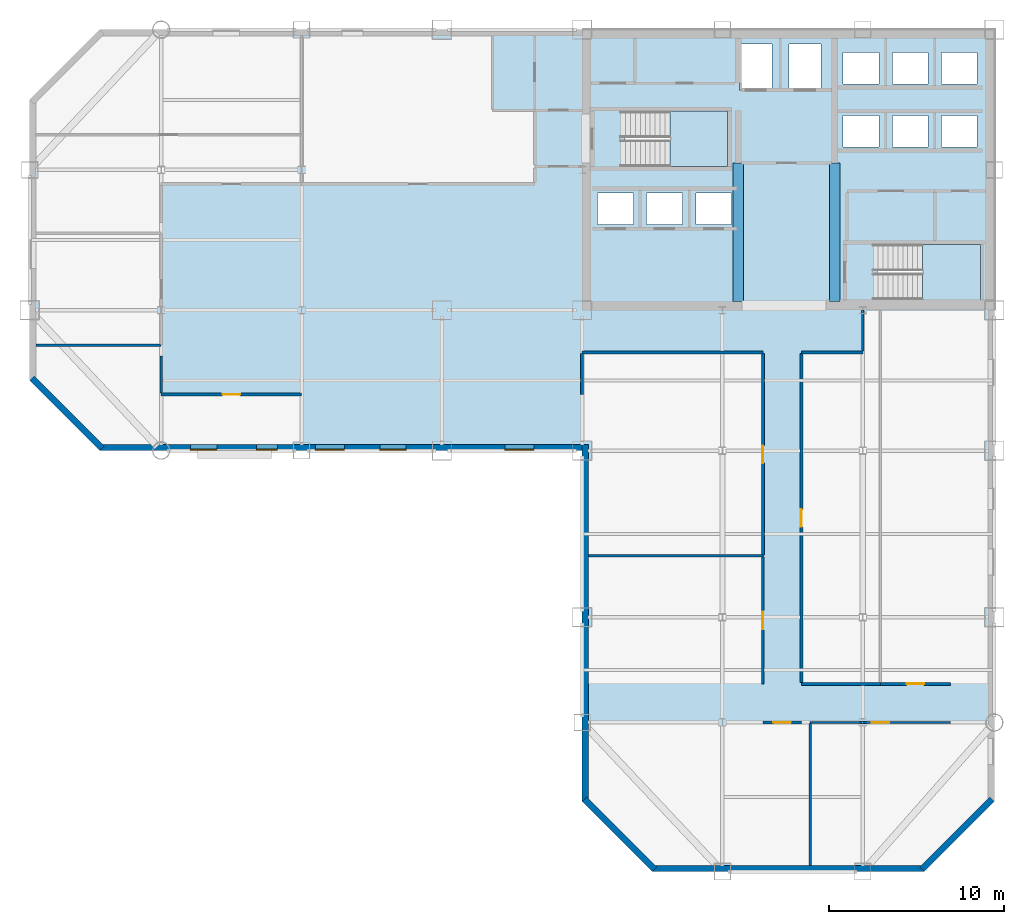
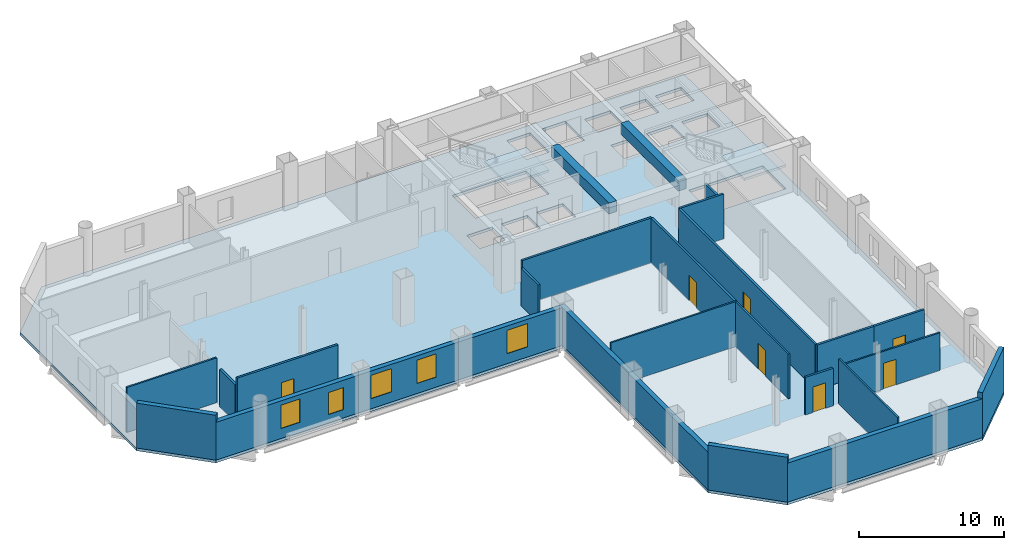
# One storey, part 5 of 9: 22 walls, 7 doors, 5 windows, 3 slabs, 2 beams, 12 openings, 2 elements without a shape of their own.
"""IFC4 building model written with IfcOpenShell, lengths in metres."""

from ifc_helpers import new_model, si_unit, direction, frame, frame_2d, origin, origin_2d, place, context, subcontext, project, spatial, polyline, rectangle, outline, extrude, material, layer, layer_set, material_profile, profile_set, type_object, element, fill, aggregate, save


model = new_model("IFC4")

# Units and contexts
model_context = context("Model", 3, precision=1e-05, world=origin(), true_north=direction((0.0, 1.0)))
body_context = subcontext(model_context, "Body", "Model", "MODEL_VIEW")
ifc_project = project(units=[si_unit("LENGTHUNIT", "METRE"), si_unit("AREAUNIT", "SQUARE_METRE"), si_unit("VOLUMEUNIT", "CUBIC_METRE"), si_unit("PLANEANGLEUNIT", "RADIAN"), si_unit("MASSUNIT", "GRAM", prefix="KILO")], contexts=[model_context])

# Site, building, storey
site_placement = place(None, origin())
site = spatial("IfcSite", under=ifc_project, at=site_placement, CompositionType="ELEMENT")
building_placement = place(site_placement, origin())
building = spatial("IfcBuilding", under=site, at=building_placement, Name="Qianrong Seaharbour Tower", CompositionType="ELEMENT")
storey_placement = place(building_placement, frame((0.0, 0.0, 163.0)))
storey = spatial("IfcBuildingStorey", under=building, at=storey_placement, Name="L39", CompositionType="ELEMENT", Elevation=163.0)

# Beams
ifc_material_1 = material(Name="Concrete C70/85", Category="concrete")
ifc_material_profile = material_profile(ifc_material_1, rectangle(XDim=0.60009765625, YDim=0.89990234375, at=origin_2d()), Name="RC600x900")
ifc_profile_set = profile_set([ifc_material_profile], Name="Concrete C70/85")
beam_type = type_object("IfcBeamType", Name="BM-LINTEL-900", PredefinedType="LINTEL", material=ifc_profile_set)
for number, where, z_axis, x_axis, name in (
    (1, (49.39990234375, 36.5, 3.31494140625), (0.0, 1.0, 0.0), (-1.0, 0.0, 0.0), "L39 Internal Core Coupling Beam IW1"),
    (2, (54.89990234375, 36.5, 3.31494140625), (0.0, 1.0, 0.0), (-1.0, 0.0, 0.0), "L39 Internal Core Coupling Beam IW2"),
):
    element("IfcBeam", number, at=place(storey_placement, frame(where, z_axis=z_axis, x_axis=x_axis)), inside=storey, type_object=beam_type, Name=name, PredefinedType="LINTEL", context=body_context, shape_type="SweptSolid", body=[
        extrude(rectangle(XDim=0.60009765625, YDim=0.89990234375, at=origin_2d()), origin(), (0.0, 0.0, 1.0), 7.89990234375),
    ])

# Stair, slab
ifc_material_2 = material(Name="Concrete C50/60", Category="concrete")
stair_type = type_object("IfcStairType", Name="STAIR-DOGLEG-1500-R22", PredefinedType="HALF_TURN_STAIR", material=ifc_material_2)
stair_1_placement = place(storey_placement, origin())
stair_1 = element("IfcStair", 3, at=stair_1_placement, inside=storey, type_object=stair_type, Name="L39 Protected Escape Stair ST-1", PredefinedType="HALF_TURN_STAIR")
ifc_layer_1 = layer(ifc_material_2, 0.199951171875)
ifc_layer_set_1 = layer_set([ifc_layer_1], Name="Concrete C50/60")
slab_type_1 = type_object("IfcSlabType", Name="SLAB-STAIR-LANDING-200", PredefinedType="LANDING", material=ifc_layer_set_1)
slab_1_placement = place(storey_placement, frame((0.0, 0.0, 1.800048828125)))
slab_1 = element("IfcSlab", 4, at=slab_1_placement, type_object=slab_type_1, Name="ST-1 landing 1", PredefinedType="LANDING", context=body_context, shape_type="SweptSolid", body=[
    extrude(outline(polyline([(45.5, 44.199951171875), (48.800048828125, 44.199951171875), (48.800048828125, 47.35009765625), (45.5, 47.35009765625), (45.5, 44.199951171875)])), origin(), (0.0, 0.0, 1.0), 0.199951171875),
])
aggregate(stair_1, [slab_1])

stair_2_placement = place(storey_placement, origin())
stair_2 = element("IfcStair", 5, at=stair_2_placement, inside=storey, type_object=stair_type, Name="L39 Protected Escape Stair ST-2", PredefinedType="HALF_TURN_STAIR")
slab_2_placement = place(storey_placement, frame((0.0, 0.0, 1.800048828125)))
slab_2 = element("IfcSlab", 6, at=slab_2_placement, type_object=slab_type_1, Name="ST-2 landing 1", PredefinedType="LANDING", context=body_context, shape_type="SweptSolid", body=[
    extrude(outline(polyline([(59.89990234375, 36.60009765625), (63.199951171875, 36.60009765625), (63.199951171875, 39.75), (59.89990234375, 39.75), (59.89990234375, 36.60009765625)])), origin(), (0.0, 0.0, 1.0), 0.199951171875),
])
aggregate(stair_2, [slab_2])

# Slab
ifc_layer_2 = layer(ifc_material_2, 0.235107421875)
ifc_layer_set_2 = layer_set([ifc_layer_2], Name="Concrete C50/60")
slab_type_2 = type_object("IfcSlabType", Name="SLAB-Z2-235", PredefinedType="FLOOR", material=ifc_layer_set_2)
slab_3_placement = place(storey_placement, frame((0.0, 0.0, -0.235107421875)))
element("IfcSlab", 7, at=slab_3_placement, inside=storey, type_object=slab_type_2, Name="L39 Structural Floor Slab", PredefinedType="FLOOR", context=body_context, shape_type="SweptSolid", body=[
    extrude(outline(polyline([(44.5, 4.0), (60.0, 4.0), (64.0, 8.0), (64.0, 52.0), (13.0, 52.0), (9.0, 48.0), (9.0, 32.0), (13.0, 28.0), (40.5, 28.0), (40.5, 8.0), (44.5, 4.0)]), holes=[polyline([(42.93994140625, 44.199951171875), (42.93994140625, 47.35009765625), (48.800048828125, 47.35009765625), (48.800048828125, 44.199951171875), (42.93994140625, 44.199951171875)]), polyline([(57.340087890625, 36.60009765625), (57.340087890625, 39.75), (63.199951171875, 39.75), (63.199951171875, 36.60009765625), (57.340087890625, 36.60009765625)]), polyline([(49.47998046875, 48.530029296875), (49.47998046875, 51.169921875), (51.320068359375, 51.169921875), (51.320068359375, 48.530029296875), (49.47998046875, 48.530029296875)]), polyline([(52.280029296875, 48.530029296875), (52.280029296875, 51.169921875), (54.1201171875, 51.169921875), (54.1201171875, 48.530029296875), (52.280029296875, 48.530029296875)]), polyline([(41.3798828125, 40.89990234375), (41.3798828125, 42.699951171875), (43.419921875, 42.699951171875), (43.419921875, 40.89990234375), (41.3798828125, 40.89990234375)]), polyline([(44.179931640625, 40.89990234375), (44.179931640625, 42.699951171875), (46.219970703125, 42.699951171875), (46.219970703125, 40.89990234375), (44.179931640625, 40.89990234375)]), polyline([(46.97998046875, 40.89990234375), (46.97998046875, 42.699951171875), (49.02001953125, 42.699951171875), (49.02001953125, 40.89990234375), (46.97998046875, 40.89990234375)]), polyline([(55.3798828125, 45.300048828125), (55.3798828125, 47.10009765625), (57.419921875, 47.10009765625), (57.419921875, 45.300048828125), (55.3798828125, 45.300048828125)]), polyline([(58.179931640625, 45.300048828125), (58.179931640625, 47.10009765625), (60.219970703125, 47.10009765625), (60.219970703125, 45.300048828125), (58.179931640625, 45.300048828125)]), polyline([(60.97998046875, 45.300048828125), (60.97998046875, 47.10009765625), (63.02001953125, 47.10009765625), (63.02001953125, 45.300048828125), (60.97998046875, 45.300048828125)]), polyline([(55.3798828125, 48.89990234375), (55.3798828125, 50.699951171875), (57.419921875, 50.699951171875), (57.419921875, 48.89990234375), (55.3798828125, 48.89990234375)]), polyline([(58.179931640625, 48.89990234375), (58.179931640625, 50.699951171875), (60.219970703125, 50.699951171875), (60.219970703125, 48.89990234375), (58.179931640625, 48.89990234375)]), polyline([(60.97998046875, 48.89990234375), (60.97998046875, 50.699951171875), (63.02001953125, 50.699951171875), (63.02001953125, 48.89990234375), (60.97998046875, 48.89990234375)])]), origin(), (0.0, 0.0, 1.0), 0.235107421875),
])

# Wall, opening, door
ifc_material_3 = material(Name="Fire-rated acoustic gypsum board partition")
ifc_layer_3 = layer(ifc_material_3, 0.1650390625)
ifc_layer_set_3 = layer_set([ifc_layer_3], Name="Fire-rated acoustic gypsum board partition")
wall_type_1 = type_object("IfcWallType", Name="WALL-CORR-PART-165", PredefinedType="PARTITIONING", material=ifc_layer_set_3)
wall_1_placement = place(storey_placement, frame((24.5, 31.199951171875, 0.0), z_axis=(0.0, 0.0, 1.0), x_axis=(-1.0, 0.0, 0.0)))
wall_1 = element("IfcWall", 8, at=wall_1_placement, inside=storey, type_object=wall_type_1, Name="L39 Interior Partition Wall 015", PredefinedType="PARTITIONING", context=body_context, shape_type="SweptSolid", body=[
    extrude(rectangle(XDim=8.0, YDim=0.1650390625, at=frame_2d((4.0, 0.0))), origin(), (0.0, 0.0, 1.0), 3.764892578125),
])
opening_1_placement = place(wall_1_placement, frame((3.5, 0.0, 0.0)))
opening_1 = element("IfcOpeningElement", 9, at=opening_1_placement, cuts=wall_1, Name="Opening DO-01", PredefinedType="OPENING", context=body_context, shape_type="SweptSolid", body=[
    extrude(rectangle(XDim=1.0, YDim=2.14990234375, at=frame_2d((0.5, 1.074951171875))), frame((0.0, 0.092529296875, 0.0), z_axis=(0.0, -1.0, 0.0), x_axis=(1.0, 0.0, 0.0)), (0.0, 0.0, 1.0), 0.18505859375),
])
ifc_material_4 = material(Name="Acoustic timber and galvanized steel fire door assembly", Category="steel")
door_type = type_object("IfcDoorType", Name="DOOR-OFFICE-1000x2150", OperationType="NOTDEFINED", PredefinedType="DOOR", material=ifc_material_4)
door_1_placement = place(opening_1_placement, origin())
door_1 = element("IfcDoor", 10, at=door_1_placement, inside=storey, type_object=door_type, Name="L39 Harbour Sunset Lounge 1 Door", OperationType="SINGLE_SWING_RIGHT", OverallHeight=2.14990234375, OverallWidth=1.0, PredefinedType="DOOR", context=body_context, shape_type="SweptSolid", body=[
    extrude(rectangle(XDim=1.0, YDim=2.14990234375, at=frame_2d((0.5, 1.074951171875))), frame((0.0, 0.02490234375, 0.0), z_axis=(0.0, -1.0, 0.0), x_axis=(1.0, 0.0, 0.0)), (0.0, 0.0, 1.0), 0.050048828125),
])
fill(opening_1, door_1)

# Walls
wall_2_placement = place(storey_placement, frame((16.5, 31.2744140625, 0.0), z_axis=(0.0, 0.0, 1.0), x_axis=(0.0, 1.0, 0.0)))
element("IfcWall", 11, at=wall_2_placement, inside=storey, type_object=wall_type_1, Name="L39 Interior Partition Wall 016", PredefinedType="PARTITIONING", context=body_context, shape_type="SweptSolid", body=[
    extrude(rectangle(XDim=2.12548828125, YDim=0.1650390625, at=frame_2d((1.062744140625, 0.0))), origin(), (0.0, 0.0, 1.0), 3.156982421875),
])
for number, where, z_axis, x_axis, name in (
    (12, (40.5, 33.525390625, 0.0), (0.0, 0.0, 1.0), (0.0, -1.0, 0.0), "L39 Interior Partition Wall 022"),
    (13, (56.5, 36.0, 0.0), (0.0, 0.0, 1.0), (0.0, -1.0, 0.0), "L39 Interior Partition Wall 023"),
):
    element("IfcWall", number, at=place(storey_placement, frame(where, z_axis=z_axis, x_axis=x_axis)), inside=storey, type_object=wall_type_1, Name=name, PredefinedType="PARTITIONING", context=body_context, shape_type="SweptSolid", body=[
        extrude(rectangle(XDim=2.325439453125, YDim=0.1650390625, at=frame_2d((1.16259765625, 0.0))), origin(), (0.0, 0.0, 1.0), 3.156982421875),
    ])
wall_3_placement = place(storey_placement, frame((56.5, 33.60009765625, 0.0), z_axis=(0.0, 0.0, 1.0), x_axis=(-1.0, 0.0, 0.0)))
element("IfcWall", 14, at=wall_3_placement, inside=storey, type_object=wall_type_1, Name="L39 Interior Partition Wall 024", PredefinedType="PARTITIONING", context=body_context, shape_type="SweptSolid", body=[
    extrude(rectangle(XDim=3.5, YDim=0.1650390625, at=frame_2d((1.75, 0.0))), origin(), (0.0, 0.0, 1.0), 3.764892578125),
])
wall_4_placement = place(storey_placement, frame((50.800048828125, 33.60009765625, 0.0), z_axis=(0.0, 0.0, 1.0), x_axis=(-1.0, 0.0, 0.0)))
element("IfcWall", 15, at=wall_4_placement, inside=storey, type_object=wall_type_1, Name="L39 Interior Partition Wall 025", PredefinedType="PARTITIONING", context=body_context, shape_type="SweptSolid", body=[
    extrude(rectangle(XDim=10.300048828125, YDim=0.1650390625, at=frame_2d((5.14990234375, 0.0))), origin(), (0.0, 0.0, 1.0), 3.764892578125),
])

# Wall, opening, door
wall_5_placement = place(storey_placement, frame((53.0, 33.525390625, 0.0), z_axis=(0.0, 0.0, 1.0), x_axis=(0.0, -1.0, 0.0)))
wall_5 = element("IfcWall", 16, at=wall_5_placement, inside=storey, type_object=wall_type_1, Name="L39 Interior Partition Wall 026", PredefinedType="PARTITIONING", context=body_context, shape_type="SweptSolid", body=[
    extrude(rectangle(XDim=18.7509765625, YDim=0.1650390625, at=frame_2d((9.37548828125, 0.0))), origin(), (0.0, 0.0, 1.0), 3.764892578125),
])
opening_2_placement = place(wall_5_placement, frame((8.87548828125, 0.0, 0.0)))
opening_2 = element("IfcOpeningElement", 17, at=opening_2_placement, cuts=wall_5, Name="Opening DO-01", PredefinedType="OPENING", context=body_context, shape_type="SweptSolid", body=[
    extrude(rectangle(XDim=1.0, YDim=2.14990234375, at=frame_2d((0.5, 1.074951171875))), frame((0.0, 0.092529296875, 0.0), z_axis=(0.0, -1.0, 0.0), x_axis=(1.0, 0.0, 0.0)), (0.0, 0.0, 1.0), 0.18505859375),
])
door_2_placement = place(opening_2_placement, origin())
door_2 = element("IfcDoor", 18, at=door_2_placement, inside=storey, type_object=door_type, Name="L39 East Harbour Dining Salon 1 Door", OperationType="SINGLE_SWING_RIGHT", OverallHeight=2.14990234375, OverallWidth=1.0, PredefinedType="DOOR", context=body_context, shape_type="SweptSolid", body=[
    extrude(rectangle(XDim=1.0, YDim=2.14990234375, at=frame_2d((0.5, 1.074951171875))), frame((0.0, 0.02490234375, 0.0), z_axis=(0.0, -1.0, 0.0), x_axis=(1.0, 0.0, 0.0)), (0.0, 0.0, 1.0), 0.050048828125),
])
fill(opening_2, door_2)

wall_6_placement = place(storey_placement, frame((50.800048828125, 22.056884765625, 0.0), z_axis=(0.0, 0.0, 1.0), x_axis=(0.0, 1.0, 0.0)))
wall_6 = element("IfcWall", 19, at=wall_6_placement, inside=storey, type_object=wall_type_1, Name="L39 Interior Partition Wall 028", PredefinedType="PARTITIONING", context=body_context, shape_type="SweptSolid", body=[
    extrude(rectangle(XDim=11.468505859375, YDim=0.1650390625, at=frame_2d((5.734375, 0.0))), origin(), (0.0, 0.0, 1.0), 3.764892578125),
])
opening_3_placement = place(wall_6_placement, frame((5.234375, 0.0, 0.0)))
opening_3 = element("IfcOpeningElement", 20, at=opening_3_placement, cuts=wall_6, Name="Opening DO-01", PredefinedType="OPENING", context=body_context, shape_type="SweptSolid", body=[
    extrude(rectangle(XDim=1.0, YDim=2.14990234375, at=frame_2d((0.5, 1.074951171875))), frame((0.0, 0.092529296875, 0.0), z_axis=(0.0, -1.0, 0.0), x_axis=(1.0, 0.0, 0.0)), (0.0, 0.0, 1.0), 0.18505859375),
])
door_3_placement = place(opening_3_placement, origin())
door_3 = element("IfcDoor", 21, at=door_3_placement, inside=storey, type_object=door_type, Name="L39 Concierge Office 2 Door", OperationType="SINGLE_SWING_LEFT", OverallHeight=2.14990234375, OverallWidth=1.0, PredefinedType="DOOR", context=body_context, shape_type="SweptSolid", body=[
    extrude(rectangle(XDim=1.0, YDim=2.14990234375, at=frame_2d((0.5, 1.074951171875))), frame((0.0, 0.02490234375, 0.0), z_axis=(0.0, -1.0, 0.0), x_axis=(1.0, 0.0, 0.0)), (0.0, 0.0, 1.0), 0.050048828125),
])
fill(opening_3, door_3)

wall_7_placement = place(storey_placement, frame((53.0, 12.5, 0.0), z_axis=(0.0, 0.0, 1.0), x_axis=(-1.0, 0.0, 0.0)))
wall_7 = element("IfcWall", 22, at=wall_7_placement, inside=storey, type_object=wall_type_1, Name="L39 Interior Partition Wall 029", PredefinedType="PARTITIONING", context=body_context, shape_type="SweptSolid", body=[
    extrude(rectangle(XDim=2.199951171875, YDim=0.1650390625, at=frame_2d((1.10009765625, 0.0))), origin(), (0.0, 0.0, 1.0), 3.156982421875),
])
opening_4_placement = place(wall_7_placement, frame((0.60009765625, 0.0, 0.0)))
opening_4 = element("IfcOpeningElement", 23, at=opening_4_placement, cuts=wall_7, Name="Opening DO-01", PredefinedType="OPENING", context=body_context, shape_type="SweptSolid", body=[
    extrude(rectangle(XDim=1.0, YDim=2.14990234375, at=frame_2d((0.5, 1.074951171875))), frame((0.0, 0.092529296875, 0.0), z_axis=(0.0, -1.0, 0.0), x_axis=(1.0, 0.0, 0.0)), (0.0, 0.0, 1.0), 0.18505859375),
])
door_4_placement = place(opening_4_placement, origin())
door_4 = element("IfcDoor", 24, at=door_4_placement, inside=storey, type_object=door_type, Name="L39 South View Lounge 1 Door", OperationType="SINGLE_SWING_RIGHT", OverallHeight=2.14990234375, OverallWidth=1.0, PredefinedType="DOOR", context=body_context, shape_type="SweptSolid", body=[
    extrude(rectangle(XDim=1.0, YDim=2.14990234375, at=frame_2d((0.5, 1.074951171875))), frame((0.0, 0.02490234375, 0.0), z_axis=(0.0, -1.0, 0.0), x_axis=(1.0, 0.0, 0.0)), (0.0, 0.0, 1.0), 0.050048828125),
])
fill(opening_4, door_4)

# Wall
wall_8_placement = place(storey_placement, frame((53.0, 14.699951171875, 0.0), z_axis=(0.0, 0.0, 1.0), x_axis=(1.0, 0.0, 0.0)))
element("IfcWall", 25, at=wall_8_placement, inside=storey, type_object=wall_type_1, Name="L39 Interior Partition Wall 030", PredefinedType="PARTITIONING", context=body_context, shape_type="SweptSolid", body=[
    extrude(rectangle(XDim=4.5, YDim=0.1650390625, at=frame_2d((2.25, 0.0))), origin(), (0.0, 0.0, 1.0), 3.764892578125),
])

# Wall, opening, door
wall_9_placement = place(storey_placement, frame((57.5, 14.699951171875, 0.0), z_axis=(0.0, 0.0, 1.0), x_axis=(1.0, 0.0, 0.0)))
wall_9 = element("IfcWall", 26, at=wall_9_placement, inside=storey, type_object=wall_type_1, Name="L39 Interior Partition Wall 031", PredefinedType="PARTITIONING", context=body_context, shape_type="SweptSolid", body=[
    extrude(rectangle(XDim=4.0, YDim=0.1650390625, at=frame_2d((2.0, 0.0))), origin(), (0.0, 0.0, 1.0), 3.764892578125),
])
opening_5_placement = place(wall_9_placement, frame((1.5, 0.0, 0.0)))
opening_5 = element("IfcOpeningElement", 27, at=opening_5_placement, cuts=wall_9, Name="Opening DO-01", PredefinedType="OPENING", context=body_context, shape_type="SweptSolid", body=[
    extrude(rectangle(XDim=1.0, YDim=2.14990234375, at=frame_2d((0.5, 1.074951171875))), frame((0.0, 0.092529296875, 0.0), z_axis=(0.0, -1.0, 0.0), x_axis=(1.0, 0.0, 0.0)), (0.0, 0.0, 1.0), 0.18505859375),
])
door_5_placement = place(opening_5_placement, origin())
door_5 = element("IfcDoor", 28, at=door_5_placement, inside=storey, type_object=door_type, Name="L39 Catering Servery Kitchen 2 Door", OperationType="SINGLE_SWING_LEFT", OverallHeight=2.14990234375, OverallWidth=1.0, PredefinedType="DOOR", context=body_context, shape_type="SweptSolid", body=[
    extrude(rectangle(XDim=1.0, YDim=2.14990234375, at=frame_2d((0.5, 1.074951171875))), frame((0.0, 0.02490234375, 0.0), z_axis=(0.0, -1.0, 0.0), x_axis=(1.0, 0.0, 0.0)), (0.0, 0.0, 1.0), 0.050048828125),
])
fill(opening_5, door_5)

# Wall
ifc_material_5 = material(Name="Unitised red brick on Precast concrete C45/55", Category="masonry")
ifc_layer_4 = layer(ifc_material_5, 0.360107421875)
ifc_layer_set_4 = layer_set([ifc_layer_4], Name="Unitised red brick on Precast concrete C45/55")
wall_type_2 = type_object("IfcWallType", Name="WALL-EXT-BRICK-RED-360", PredefinedType="SOLIDWALL", material=ifc_layer_set_4)
wall_10_placement = place(storey_placement, frame((40.679931640625, 8.0, 0.0), z_axis=(0.0, 0.0, 1.0), x_axis=(0.0, 1.0, 0.0)))
element("IfcWall", 29, at=wall_10_placement, inside=storey, type_object=wall_type_2, Name="L39 Exterior Masonry Facade Wall REENTRANT_WEST", PredefinedType="SOLIDWALL", context=body_context, shape_type="SweptSolid", body=[
    extrude(rectangle(XDim=20.360107421875, YDim=0.360107421875, at=frame_2d((10.18017578125, 0.0))), origin(), (0.0, 0.0, 1.0), 3.1650390625),
])

# Wall, openings, windows
wall_11_placement = place(storey_placement, frame((40.52001953125, 28.179931640625, 0.0), z_axis=(0.0, 0.0, 1.0), x_axis=(-1.0, 0.0, 0.0)))
wall_11 = element("IfcWall", 30, at=wall_11_placement, inside=storey, type_object=wall_type_2, Name="L39 Exterior Masonry Facade Wall HARBOUR_RIBBON", PredefinedType="SOLIDWALL", context=body_context, shape_type="SweptSolid", body=[
    extrude(rectangle(XDim=27.52001953125, YDim=0.360107421875, at=frame_2d((13.760009765625, 0.0))), origin(), (0.0, 0.0, 1.0), 3.1650390625),
])
opening_6_placement = place(wall_11_placement, frame((2.77490234375, 0.0, 0.85009765625)))
opening_6 = element("IfcOpeningElement", 31, at=opening_6_placement, cuts=wall_11, Name="Opening WN-04", PredefinedType="OPENING", context=body_context, shape_type="SweptSolid", body=[
    extrude(rectangle(XDim=1.64990234375, YDim=1.949951171875, at=frame_2d((0.824951171875, 0.97509765625))), frame((0.0, 0.18994140625, 0.0), z_axis=(0.0, -1.0, 0.0), x_axis=(1.0, 0.0, 0.0)), (0.0, 0.0, 1.0), 0.380126953125),
])
opening_7_placement = place(wall_11_placement, frame((10.050048828125, 0.0, 0.85009765625)))
opening_7 = element("IfcOpeningElement", 32, at=opening_7_placement, cuts=wall_11, Name="Opening WN-03", PredefinedType="OPENING", context=body_context, shape_type="SweptSolid", body=[
    extrude(rectangle(XDim=1.5, YDim=1.949951171875, at=frame_2d((0.75, 0.97509765625))), frame((0.0, 0.18994140625, 0.0), z_axis=(0.0, -1.0, 0.0), x_axis=(1.0, 0.0, 0.0)), (0.0, 0.0, 1.0), 0.380126953125),
])
opening_8_placement = place(wall_11_placement, frame((13.574951171875, 0.0, 0.85009765625)))
opening_8 = element("IfcOpeningElement", 33, at=opening_8_placement, cuts=wall_11, Name="Opening WN-04", PredefinedType="OPENING", context=body_context, shape_type="SweptSolid", body=[
    extrude(rectangle(XDim=1.64990234375, YDim=1.949951171875, at=frame_2d((0.824951171875, 0.97509765625))), frame((0.0, 0.18994140625, 0.0), z_axis=(0.0, -1.0, 0.0), x_axis=(1.0, 0.0, 0.0)), (0.0, 0.0, 1.0), 0.380126953125),
])
opening_9_placement = place(wall_11_placement, frame((17.39990234375, 0.0, 0.699951171875)))
opening_9 = element("IfcOpeningElement", 34, at=opening_9_placement, cuts=wall_11, Name="Opening WN-01", PredefinedType="OPENING", context=body_context, shape_type="SweptSolid", body=[
    extrude(rectangle(XDim=1.199951171875, YDim=1.85009765625, at=frame_2d((0.60009765625, 0.925048828125))), frame((0.0, 0.18994140625, 0.0), z_axis=(0.0, -1.0, 0.0), x_axis=(1.0, 0.0, 0.0)), (0.0, 0.0, 1.0), 0.380126953125),
])
opening_10_placement = place(wall_11_placement, frame((20.85009765625, 0.0, 0.85009765625)))
opening_10 = element("IfcOpeningElement", 35, at=opening_10_placement, cuts=wall_11, Name="Opening WN-03", PredefinedType="OPENING", context=body_context, shape_type="SweptSolid", body=[
    extrude(rectangle(XDim=1.5, YDim=1.949951171875, at=frame_2d((0.75, 0.97509765625))), frame((0.0, 0.18994140625, 0.0), z_axis=(0.0, -1.0, 0.0), x_axis=(1.0, 0.0, 0.0)), (0.0, 0.0, 1.0), 0.380126953125),
])
ifc_material_6 = material(Name="Insulated low-e double glazing in thermally broken aluminium 6063-T6 frame", Category="aluminium")
window_type_1 = type_object("IfcWindowType", Name="WIN-PUNCH-1200x1850", PartitioningType="DOUBLE_PANEL_VERTICAL", PredefinedType="WINDOW", material=ifc_material_6)
window_1_placement = place(opening_9_placement, origin())
window_1 = element("IfcWindow", 36, at=window_1_placement, inside=storey, type_object=window_type_1, Name="L39 Deep-Set Punched Window 01.05", OverallHeight=1.85009765625, OverallWidth=1.199951171875, PartitioningType="DOUBLE_PANEL_VERTICAL", PredefinedType="WINDOW", context=body_context, shape_type="SweptSolid", body=[
    extrude(rectangle(XDim=1.199951171875, YDim=1.85009765625, at=frame_2d((0.60009765625, 0.925048828125))), frame((0.0, 0.150146484375, 0.0), z_axis=(0.0, -1.0, 0.0), x_axis=(1.0, 0.0, 0.0)), (0.0, 0.0, 1.0), 0.06005859375),
])
fill(opening_9, window_1)
window_type_2 = type_object("IfcWindowType", Name="WIN-PUNCH-1500x1950", PartitioningType="DOUBLE_PANEL_VERTICAL", PredefinedType="WINDOW", material=ifc_material_6)
window_2_placement = place(opening_7_placement, origin())
window_2 = element("IfcWindow", 37, at=window_2_placement, inside=storey, type_object=window_type_2, Name="L39 Deep-Set Punched Window 01.03", OverallHeight=1.949951171875, OverallWidth=1.5, PartitioningType="DOUBLE_PANEL_VERTICAL", PredefinedType="WINDOW", context=body_context, shape_type="SweptSolid", body=[
    extrude(rectangle(XDim=1.5, YDim=1.949951171875, at=frame_2d((0.75, 0.97509765625))), frame((0.0, 0.150146484375, 0.0), z_axis=(0.0, -1.0, 0.0), x_axis=(1.0, 0.0, 0.0)), (0.0, 0.0, 1.0), 0.06005859375),
])
fill(opening_7, window_2)
window_3_placement = place(opening_10_placement, origin())
window_3 = element("IfcWindow", 38, at=window_3_placement, inside=storey, type_object=window_type_2, Name="L39 Deep-Set Punched Window 01.06", OverallHeight=1.949951171875, OverallWidth=1.5, PartitioningType="DOUBLE_PANEL_VERTICAL", PredefinedType="WINDOW", context=body_context, shape_type="SweptSolid", body=[
    extrude(rectangle(XDim=1.5, YDim=1.949951171875, at=frame_2d((0.75, 0.97509765625))), frame((0.0, 0.150146484375, 0.0), z_axis=(0.0, -1.0, 0.0), x_axis=(1.0, 0.0, 0.0)), (0.0, 0.0, 1.0), 0.06005859375),
])
fill(opening_10, window_3)
window_type_3 = type_object("IfcWindowType", Name="WIN-PUNCH-1650x1950", PartitioningType="DOUBLE_PANEL_VERTICAL", PredefinedType="WINDOW", material=ifc_material_6)
window_4_placement = place(opening_6_placement, origin())
window_4 = element("IfcWindow", 39, at=window_4_placement, inside=storey, type_object=window_type_3, Name="L39 Deep-Set Punched Window 01.01", OverallHeight=1.949951171875, OverallWidth=1.64990234375, PartitioningType="DOUBLE_PANEL_VERTICAL", PredefinedType="WINDOW", context=body_context, shape_type="SweptSolid", body=[
    extrude(rectangle(XDim=1.64990234375, YDim=1.949951171875, at=frame_2d((0.824951171875, 0.97509765625))), frame((0.0, 0.150146484375, 0.0), z_axis=(0.0, -1.0, 0.0), x_axis=(1.0, 0.0, 0.0)), (0.0, 0.0, 1.0), 0.06005859375),
])
fill(opening_6, window_4)
window_5_placement = place(opening_8_placement, origin())
window_5 = element("IfcWindow", 40, at=window_5_placement, inside=storey, type_object=window_type_3, Name="L39 Deep-Set Punched Window 01.04", OverallHeight=1.949951171875, OverallWidth=1.64990234375, PartitioningType="DOUBLE_PANEL_VERTICAL", PredefinedType="WINDOW", context=body_context, shape_type="SweptSolid", body=[
    extrude(rectangle(XDim=1.64990234375, YDim=1.949951171875, at=frame_2d((0.824951171875, 0.97509765625))), frame((0.0, 0.150146484375, 0.0), z_axis=(0.0, -1.0, 0.0), x_axis=(1.0, 0.0, 0.0)), (0.0, 0.0, 1.0), 0.06005859375),
])
fill(opening_8, window_5)

# Walls
for number, where, z_axis, x_axis, name in (
    (41, (13.127197265625, 28.127197265625, 0.0), (0.0, 0.0, 1.0), (-0.707106781187, 0.707106781187, 0.0), "L39 Exterior Masonry Facade Wall E02"),
    (42, (63.872802734375, 8.127197265625, 0.0), (0.0, 0.0, 1.0), (-0.707106781187, -0.707106781187, 0.0), "L39 Exterior Masonry Facade Wall E07"),
):
    element("IfcWall", number, at=place(storey_placement, frame(where, z_axis=z_axis, x_axis=x_axis)), inside=storey, type_object=wall_type_2, Name=name, PredefinedType="SOLIDWALL", context=body_context, shape_type="SweptSolid", body=[
        extrude(rectangle(XDim=5.65673828125, YDim=0.360107421875, at=frame_2d((2.828369140625, 0.0))), origin(), (0.0, 0.0, 1.0), 3.764892578125),
    ])
wall_12_placement = place(storey_placement, frame((60.0, 4.179931640625, 0.0), z_axis=(0.0, 0.0, 1.0), x_axis=(-1.0, 0.0, 0.0)))
element("IfcWall", 43, at=wall_12_placement, inside=storey, type_object=wall_type_2, Name="L39 Exterior Masonry Facade Wall SOUTH_TIP", PredefinedType="SOLIDWALL", context=body_context, shape_type="SweptSolid", body=[
    extrude(rectangle(XDim=15.5, YDim=0.360107421875, at=frame_2d((7.75, 0.0))), origin(), (0.0, 0.0, 1.0), 3.264892578125),
])
wall_13_placement = place(storey_placement, frame((44.627197265625, 4.127197265625, 0.0), z_axis=(0.0, 0.0, 1.0), x_axis=(-0.707106781187, 0.707106781187, 0.0)))
element("IfcWall", 44, at=wall_13_placement, inside=storey, type_object=wall_type_2, Name="L39 Exterior Masonry Facade Wall E09", PredefinedType="SOLIDWALL", context=body_context, shape_type="SweptSolid", body=[
    extrude(rectangle(XDim=5.65673828125, YDim=0.360107421875, at=frame_2d((2.828369140625, 0.0))), origin(), (0.0, 0.0, 1.0), 3.764892578125),
])

# Wall, opening, door
ifc_material_7 = material(Name="Water-resistant cement board sanitary partition")
ifc_layer_5 = layer(ifc_material_7, 0.1298828125)
ifc_layer_set_5 = layer_set([ifc_layer_5], Name="Water-resistant cement board sanitary partition")
wall_type_3 = type_object("IfcWallType", Name="WALL-WET-PART-130", PredefinedType="PARTITIONING", material=ifc_layer_set_5)
wall_14_placement = place(storey_placement, frame((50.800048828125, 14.699951171875, 0.0), z_axis=(0.0, 0.0, 1.0), x_axis=(0.0, 1.0, 0.0)))
wall_14 = element("IfcWall", 45, at=wall_14_placement, inside=storey, type_object=wall_type_3, Name="L39 Interior Partition Wall 027", PredefinedType="PARTITIONING", context=body_context, shape_type="SweptSolid", body=[
    extrude(rectangle(XDim=7.2431640625, YDim=0.1298828125, at=frame_2d((3.62158203125, 0.0))), origin(), (0.0, 0.0, 1.0), 3.764892578125),
])
opening_11_placement = place(wall_14_placement, frame((3.12158203125, 0.0, 0.0)))
opening_11 = element("IfcOpeningElement", 46, at=opening_11_placement, cuts=wall_14, Name="Opening DO-01", PredefinedType="OPENING", context=body_context, shape_type="SweptSolid", body=[
    extrude(rectangle(XDim=1.0, YDim=2.14990234375, at=frame_2d((0.5, 1.074951171875))), frame((0.0, 0.074951171875, 0.0), z_axis=(0.0, -1.0, 0.0), x_axis=(1.0, 0.0, 0.0)), (0.0, 0.0, 1.0), 0.14990234375),
])
door_6_placement = place(opening_11_placement, origin())
door_6 = element("IfcDoor", 47, at=door_6_placement, inside=storey, type_object=door_type, Name="L39 Wet Pantry 1 Door", OperationType="SINGLE_SWING_RIGHT", OverallHeight=2.14990234375, OverallWidth=1.0, PredefinedType="DOOR", context=body_context, shape_type="SweptSolid", body=[
    extrude(rectangle(XDim=1.0, YDim=2.14990234375, at=frame_2d((0.5, 1.074951171875))), frame((0.0, 0.02490234375, 0.0), z_axis=(0.0, -1.0, 0.0), x_axis=(1.0, 0.0, 0.0)), (0.0, 0.0, 1.0), 0.050048828125),
])
fill(opening_11, door_6)

wall_15_placement = place(storey_placement, frame((61.5, 12.5, 0.0), z_axis=(0.0, 0.0, 1.0), x_axis=(-1.0, 0.0, 0.0)))
wall_15 = element("IfcWall", 48, at=wall_15_placement, inside=storey, type_object=wall_type_3, Name="L39 Interior Partition Wall 032", PredefinedType="PARTITIONING", context=body_context, shape_type="SweptSolid", body=[
    extrude(rectangle(XDim=8.0, YDim=0.1298828125, at=frame_2d((4.0, 0.0))), origin(), (0.0, 0.0, 1.0), 3.156982421875),
])
opening_12_placement = place(wall_15_placement, frame((3.5, 0.0, 0.0)))
opening_12 = element("IfcOpeningElement", 49, at=opening_12_placement, cuts=wall_15, Name="Opening DO-01", PredefinedType="OPENING", context=body_context, shape_type="SweptSolid", body=[
    extrude(rectangle(XDim=1.0, YDim=2.14990234375, at=frame_2d((0.5, 1.074951171875))), frame((0.0, 0.074951171875, 0.0), z_axis=(0.0, -1.0, 0.0), x_axis=(1.0, 0.0, 0.0)), (0.0, 0.0, 1.0), 0.14990234375),
])
door_7_placement = place(opening_12_placement, origin())
door_7 = element("IfcDoor", 50, at=door_7_placement, inside=storey, type_object=door_type, Name="L39 Tea Servery Pantry 2 Door", OperationType="SINGLE_SWING_LEFT", OverallHeight=2.14990234375, OverallWidth=1.0, PredefinedType="DOOR", context=body_context, shape_type="SweptSolid", body=[
    extrude(rectangle(XDim=1.0, YDim=2.14990234375, at=frame_2d((0.5, 1.074951171875))), frame((0.0, 0.02490234375, 0.0), z_axis=(0.0, -1.0, 0.0), x_axis=(1.0, 0.0, 0.0)), (0.0, 0.0, 1.0), 0.050048828125),
])
fill(opening_12, door_7)

# Walls
wall_16_placement = place(storey_placement, frame((9.35205078125, 34.0, 0.0), z_axis=(0.0, 0.0, 1.0), x_axis=(1.0, 0.0, 0.0)))
element("IfcWall", 51, at=wall_16_placement, inside=storey, type_object=wall_type_3, Name="L39 Interior Partition Wall 035", PredefinedType="PARTITIONING", context=body_context, shape_type="SweptSolid", body=[
    extrude(rectangle(XDim=7.14794921875, YDim=0.1298828125, at=frame_2d((3.573974609375, 0.0))), origin(), (0.0, 0.0, 1.0), 3.764892578125),
])
wall_17_placement = place(storey_placement, frame((40.85205078125, 22.0, 0.0), z_axis=(0.0, 0.0, 1.0), x_axis=(1.0, 0.0, 0.0)))
element("IfcWall", 52, at=wall_17_placement, inside=storey, type_object=wall_type_3, Name="L39 Interior Partition Wall 039", PredefinedType="PARTITIONING", context=body_context, shape_type="SweptSolid", body=[
    extrude(rectangle(XDim=9.947998046875, YDim=0.1298828125, at=frame_2d((4.97412109375, 0.0))), origin(), (0.0, 0.0, 1.0), 3.764892578125),
])
wall_18_placement = place(storey_placement, frame((53.5, 12.443115234375, 0.0), z_axis=(0.0, 0.0, 1.0), x_axis=(0.0, -1.0, 0.0)))
element("IfcWall", 53, at=wall_18_placement, inside=storey, type_object=wall_type_3, Name="L39 Interior Partition Wall 040", PredefinedType="PARTITIONING", context=body_context, shape_type="SweptSolid", body=[
    extrude(rectangle(XDim=8.091064453125, YDim=0.1298828125, at=frame_2d((4.04541015625, 0.0))), origin(), (0.0, 0.0, 1.0), 3.764892578125),
])

save(model, "model.ifc")
